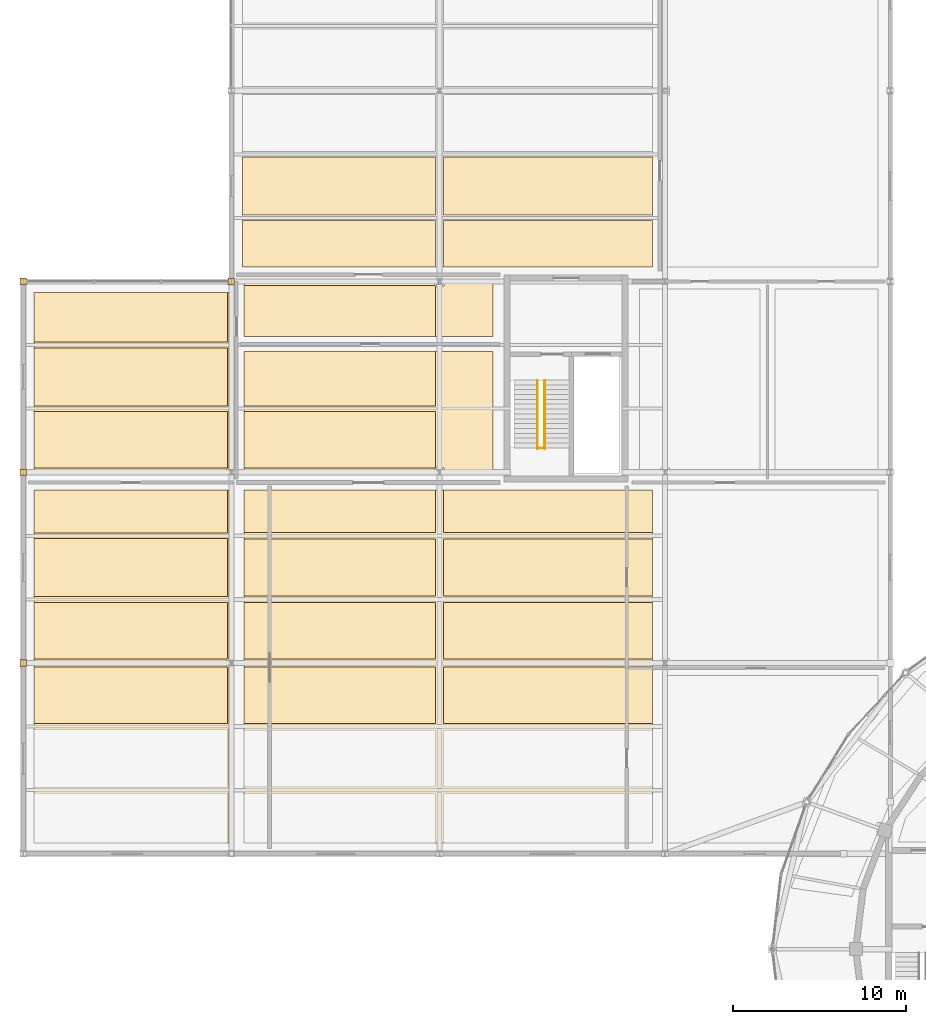
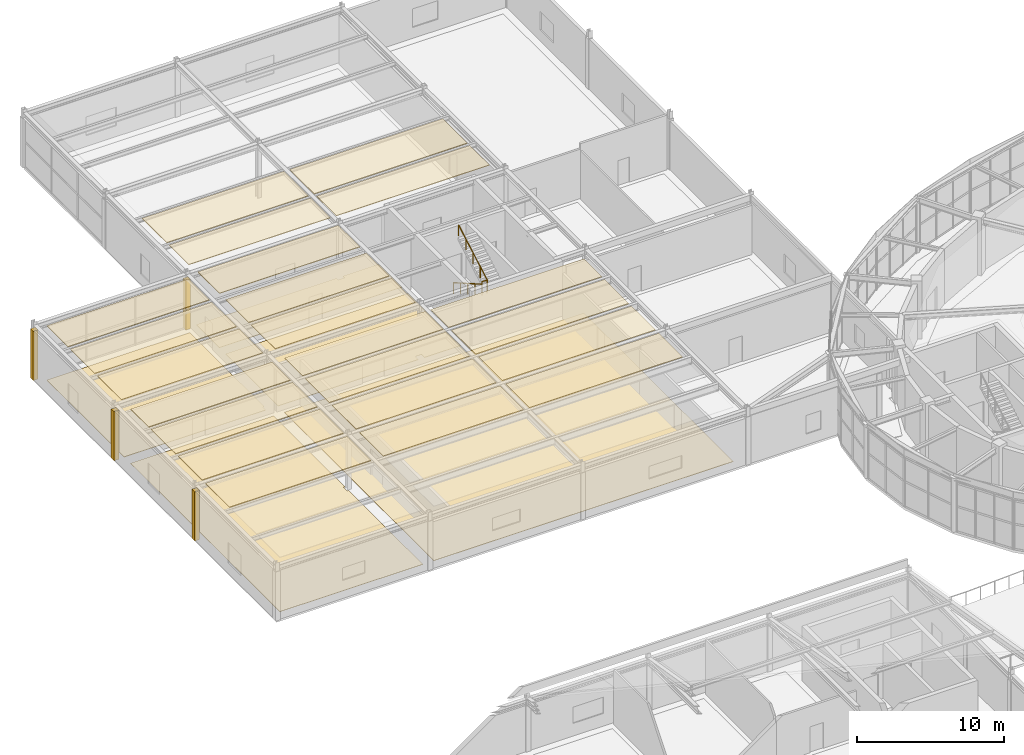
# One storey, part 104 of 108: 31 coverings, 3 railings.
"""IFC4 building model written with IfcOpenShell, lengths in metres."""

from ifc_helpers import new_model, si_unit, direction, frame, origin, origin_2d, place, context, subcontext, project, spatial, polyline, rectangle, circle, outline, extrude, material, layer, layer_set, type_object, element, save


model = new_model("IFC4")

# Units and contexts
model_context = context("Model", 3, precision=1e-05, world=origin(), true_north=direction((0.0, 1.0)))
body_context = subcontext(model_context, "Body", "Model", "MODEL_VIEW")
ifc_project = project(units=[si_unit("LENGTHUNIT", "METRE"), si_unit("AREAUNIT", "SQUARE_METRE"), si_unit("VOLUMEUNIT", "CUBIC_METRE"), si_unit("PLANEANGLEUNIT", "RADIAN"), si_unit("MASSUNIT", "GRAM", prefix="KILO")], contexts=[model_context])

# Site, building, storey
site_placement = place(None, origin())
site = spatial("IfcSite", under=ifc_project, at=site_placement, CompositionType="ELEMENT")
building_placement = place(site_placement, origin())
building = spatial("IfcBuilding", under=site, at=building_placement, Name="Tarnveldt Headland Concert Hall", CompositionType="ELEMENT")
storey_placement = place(building_placement, frame((0.0, 0.0, 9.60009765625)))
storey = spatial("IfcBuildingStorey", under=building, at=storey_placement, Name="L02", CompositionType="ELEMENT", Elevation=9.60009765625)

# Coverings
ifc_material_1 = material(Name="Micro-perforated mvule acoustic ceiling panel", Category="timber")
ifc_layer_1 = layer(ifc_material_1, 0.050048828125, Name="Micro-perforated mvule acoustic ceiling panel", Category="timber")
ifc_layer_set_1 = layer_set([ifc_layer_1], Name="Micro-perforated mvule acoustic ceiling panel")
covering_type_1 = type_object("IfcCoveringType", Name="CV-CEIL50", PredefinedType="CEILING", material=ifc_layer_set_1)
covering_1_placement = place(storey_placement, frame((0.0, 0.0, 4.5)))
element("IfcCovering", 1, at=covering_1_placement, inside=storey, type_object=covering_type_1, Name="Acoustic mvule ceiling L02-20-257", PredefinedType="CEILING", context=body_context, shape_type="SweptSolid", body=[
    extrude(outline(polyline([(31.27001953125, 67.52294921875), (20.22998046875, 67.52294921875), (20.22998046875, 70.77001953125), (31.27001953125, 70.77001953125), (31.27001953125, 67.52294921875)])), origin(), (0.0, 0.0, 1.0), 0.0498046875),
])
covering_2_placement = place(storey_placement, frame((0.0, 0.0, 4.5)))
element("IfcCovering", 2, at=covering_2_placement, inside=storey, type_object=covering_type_1, Name="Acoustic mvule ceiling L02-20-258", PredefinedType="CEILING", context=body_context, shape_type="SweptSolid", body=[
    extrude(outline(polyline([(43.77001953125, 67.52294921875), (31.72998046875, 67.52294921875), (31.72998046875, 70.77001953125), (43.77001953125, 70.77001953125), (43.77001953125, 67.52294921875)])), origin(), (0.0, 0.0, 1.0), 0.0498046875),
])
covering_3_placement = place(storey_placement, frame((0.0, 0.0, 4.5)))
element("IfcCovering", 3, at=covering_3_placement, inside=storey, type_object=covering_type_1, Name="Acoustic mvule ceiling L02-20-263", PredefinedType="CEILING", context=body_context, shape_type="SweptSolid", body=[
    extrude(outline(polyline([(31.27001953125, 71.22998046875), (20.22998046875, 71.22998046875), (20.22998046875, 74.47705078125), (31.27001953125, 74.47705078125), (31.27001953125, 71.22998046875)])), origin(), (0.0, 0.0, 1.0), 0.0498046875),
])
covering_4_placement = place(storey_placement, frame((0.0, 0.0, 4.5)))
element("IfcCovering", 4, at=covering_4_placement, inside=storey, type_object=covering_type_1, Name="Acoustic mvule ceiling L02-20-264", PredefinedType="CEILING", context=body_context, shape_type="SweptSolid", body=[
    extrude(outline(polyline([(43.77001953125, 71.22998046875), (31.72998046875, 71.22998046875), (31.72998046875, 74.47705078125), (43.77001953125, 74.47705078125), (43.77001953125, 71.22998046875)])), origin(), (0.0, 0.0, 1.0), 0.0498046875),
])
covering_5_placement = place(storey_placement, frame((0.0, 0.0, 4.5)))
element("IfcCovering", 5, at=covering_5_placement, inside=storey, type_object=covering_type_1, Name="Acoustic mvule ceiling L02-20-265", PredefinedType="CEILING", context=body_context, shape_type="SweptSolid", body=[
    extrude(outline(polyline([(31.72998046875, 78.52294921875), (31.72998046875, 80.969970703125), (43.77001953125, 80.969970703125), (43.77001953125, 78.52294921875), (31.72998046875, 78.52294921875)])), origin(), (0.0, 0.0, 1.0), 0.0498046875),
])
covering_6_placement = place(storey_placement, frame((0.0, 0.0, 4.5)))
element("IfcCovering", 6, at=covering_6_placement, inside=storey, type_object=covering_type_1, Name="Acoustic mvule ceiling L02-20-266", PredefinedType="CEILING", context=body_context, shape_type="SweptSolid", body=[
    extrude(outline(polyline([(20.22998046875, 80.969970703125), (31.27001953125, 80.969970703125), (31.27001953125, 78.52294921875), (20.22998046875, 78.52294921875), (20.22998046875, 80.969970703125)])), origin(), (0.0, 0.0, 1.0), 0.0498046875),
])
covering_7_placement = place(storey_placement, frame((0.0, 0.0, 4.5)))
element("IfcCovering", 7, at=covering_7_placement, inside=storey, type_object=covering_type_1, Name="Acoustic mvule ceiling L02-20-267", PredefinedType="CEILING", context=body_context, shape_type="SweptSolid", body=[
    extrude(outline(polyline([(31.72998046875, 78.14306640625), (43.77001953125, 78.14306640625), (43.77001953125, 74.85693359375), (31.72998046875, 74.85693359375), (31.72998046875, 78.14306640625)])), origin(), (0.0, 0.0, 1.0), 0.0498046875),
])
covering_8_placement = place(storey_placement, frame((0.0, 0.0, 4.5)))
element("IfcCovering", 8, at=covering_8_placement, inside=storey, type_object=covering_type_1, Name="Acoustic mvule ceiling L02-20-268", PredefinedType="CEILING", context=body_context, shape_type="SweptSolid", body=[
    extrude(outline(polyline([(20.22998046875, 78.14306640625), (31.27001953125, 78.14306640625), (31.27001953125, 74.85693359375), (20.22998046875, 74.85693359375), (20.22998046875, 78.14306640625)])), origin(), (0.0, 0.0, 1.0), 0.0498046875),
])
covering_9_placement = place(storey_placement, frame((0.0, 0.0, 4.5)))
element("IfcCovering", 9, at=covering_9_placement, inside=storey, type_object=covering_type_1, Name="Acoustic mvule ceiling L02-24-275", PredefinedType="CEILING", context=body_context, shape_type="SweptSolid", body=[
    extrude(outline(polyline([(8.1298828125, 82.22998046875), (8.1298828125, 85.501953125), (19.27001953125, 85.501953125), (19.27001953125, 82.25), (19.25, 82.25), (19.25, 82.22998046875), (8.1298828125, 82.22998046875)])), origin(), (0.0, 0.0, 1.0), 0.0498046875),
])
covering_10_placement = place(storey_placement, frame((0.0, 0.0, 4.5)))
element("IfcCovering", 10, at=covering_10_placement, inside=storey, type_object=covering_type_1, Name="Acoustic mvule ceiling L02-24-276", PredefinedType="CEILING", context=body_context, shape_type="SweptSolid", body=[
    extrude(outline(polyline([(8.1298828125, 89.16796875), (19.27001953125, 89.16796875), (19.27001953125, 85.83203125), (8.1298828125, 85.83203125), (8.1298828125, 89.16796875)])), origin(), (0.0, 0.0, 1.0), 0.0498046875),
])
covering_11_placement = place(storey_placement, frame((0.0, 0.0, 4.5)))
element("IfcCovering", 11, at=covering_11_placement, inside=storey, type_object=covering_type_1, Name="Acoustic mvule ceiling L02-24-277", PredefinedType="CEILING", context=body_context, shape_type="SweptSolid", body=[
    extrude(outline(polyline([(8.1298828125, 92.3701171875), (19.27001953125, 92.3701171875), (19.27001953125, 89.498046875), (8.1298828125, 89.498046875), (8.1298828125, 92.3701171875)])), origin(), (0.0, 0.0, 1.0), 0.0498046875),
])
covering_12_placement = place(storey_placement, frame((0.0, 0.0, 4.5)))
element("IfcCovering", 12, at=covering_12_placement, inside=storey, type_object=covering_type_1, Name="Acoustic mvule ceiling L02-25-278", PredefinedType="CEILING", context=body_context, shape_type="SweptSolid", body=[
    extrude(outline(polyline([(20.22998046875, 82.22998046875), (20.22998046875, 85.501953125), (31.27001953125, 85.501953125), (31.27001953125, 82.25), (31.25, 82.25), (31.25, 82.22998046875), (20.22998046875, 82.22998046875)])), origin(), (0.0, 0.0, 1.0), 0.0498046875),
])
covering_13_placement = place(storey_placement, frame((0.0, 0.0, 4.5)))
element("IfcCovering", 13, at=covering_13_placement, inside=storey, type_object=covering_type_1, Name="Acoustic mvule ceiling L02-25-279", PredefinedType="CEILING", context=body_context, shape_type="SweptSolid", body=[
    extrude(outline(polyline([(31.27001953125, 88.969970703125), (31.27001953125, 85.83203125), (20.22998046875, 85.83203125), (20.22998046875, 88.969970703125), (31.27001953125, 88.969970703125)])), origin(), (0.0, 0.0, 1.0), 0.0498046875),
])
covering_14_placement = place(storey_placement, frame((0.0, 0.0, 4.5)))
element("IfcCovering", 14, at=covering_14_placement, inside=storey, type_object=covering_type_1, Name="Acoustic mvule ceiling L02-26-280", PredefinedType="CEILING", context=body_context, shape_type="SweptSolid", body=[
    extrude(outline(polyline([(20.22998046875, 92.77001953125), (31.25, 92.77001953125), (31.25, 92.75), (31.27001953125, 92.75), (31.27001953125, 89.830078125), (20.22998046875, 89.830078125), (20.22998046875, 92.77001953125)])), origin(), (0.0, 0.0, 1.0), 0.0498046875),
])
covering_15_placement = place(storey_placement, frame((0.0, 0.0, 4.5)))
element("IfcCovering", 15, at=covering_15_placement, inside=storey, type_object=covering_type_1, Name="Acoustic mvule ceiling L02-29-287", PredefinedType="CEILING", context=body_context, shape_type="SweptSolid", body=[
    extrude(outline(polyline([(31.27001953125, 100.16796875), (31.27001953125, 96.83203125), (20.1298828125, 96.83203125), (20.1298828125, 100.16796875), (31.27001953125, 100.16796875)])), origin(), (0.0, 0.0, 1.0), 0.0498046875),
])
covering_16_placement = place(storey_placement, frame((0.0, 0.0, 4.5)))
element("IfcCovering", 16, at=covering_16_placement, inside=storey, type_object=covering_type_1, Name="Acoustic mvule ceiling L02-29-290", PredefinedType="CEILING", context=body_context, shape_type="SweptSolid", body=[
    extrude(outline(polyline([(43.77001953125, 96.83203125), (31.72998046875, 96.83203125), (31.72998046875, 100.16796875), (43.77001953125, 100.16796875), (43.77001953125, 96.83203125)])), origin(), (0.0, 0.0, 1.0), 0.0498046875),
])
covering_17_placement = place(storey_placement, frame((0.0, 0.0, 4.5)))
element("IfcCovering", 17, at=covering_17_placement, inside=storey, type_object=covering_type_1, Name="Acoustic mvule ceiling L02-29-291", PredefinedType="CEILING", context=body_context, shape_type="SweptSolid", body=[
    extrude(outline(polyline([(31.72998046875, 93.830078125), (31.72998046875, 96.501953125), (43.77001953125, 96.501953125), (43.77001953125, 93.830078125), (31.72998046875, 93.830078125)])), origin(), (0.0, 0.0, 1.0), 0.0498046875),
])
covering_18_placement = place(storey_placement, frame((0.0, 0.0, 4.5)))
element("IfcCovering", 18, at=covering_18_placement, inside=storey, type_object=covering_type_1, Name="Acoustic mvule ceiling L02-29-292", PredefinedType="CEILING", context=body_context, shape_type="SweptSolid", body=[
    extrude(outline(polyline([(31.27001953125, 96.501953125), (31.27001953125, 93.830078125), (20.1298828125, 93.830078125), (20.1298828125, 96.501953125), (31.27001953125, 96.501953125)])), origin(), (0.0, 0.0, 1.0), 0.0498046875),
])
ifc_layer_2 = layer(ifc_material_1, 0.06494140625, Name="Micro-perforated mvule acoustic ceiling panel", Category="timber")
ifc_layer_set_2 = layer_set([ifc_layer_2], Name="Micro-perforated mvule acoustic ceiling panel")
covering_type_2 = type_object("IfcCoveringType", Name="CV-CEIL65", PredefinedType="CEILING", material=ifc_layer_set_2)
covering_19_placement = place(storey_placement, frame((0.0, 0.0, 4.48486328125)))
element("IfcCovering", 19, at=covering_19_placement, inside=storey, type_object=covering_type_2, Name="Acoustic mvule ceiling L02-21-269", PredefinedType="CEILING", context=body_context, shape_type="SweptSolid", body=[
    extrude(outline(polyline([(19.27001953125, 71.25), (19.25, 71.25), (19.25, 71.22998046875), (8.1298828125, 71.22998046875), (8.1298828125, 74.501953125), (19.27001953125, 74.501953125), (19.27001953125, 71.25)])), origin(), (0.0, 0.0, 1.0), 0.06494140625),
])
covering_20_placement = place(storey_placement, frame((0.0, 0.0, 4.48486328125)))
element("IfcCovering", 20, at=covering_20_placement, inside=storey, type_object=covering_type_2, Name="Acoustic mvule ceiling L02-21-270", PredefinedType="CEILING", context=body_context, shape_type="SweptSolid", body=[
    extrude(outline(polyline([(8.1298828125, 78.16796875), (19.27001953125, 78.16796875), (19.27001953125, 74.83203125), (8.1298828125, 74.83203125), (8.1298828125, 78.16796875)])), origin(), (0.0, 0.0, 1.0), 0.06494140625),
])
covering_21_placement = place(storey_placement, frame((0.0, 0.0, 4.48486328125)))
element("IfcCovering", 21, at=covering_21_placement, inside=storey, type_object=covering_type_2, Name="Acoustic mvule ceiling L02-21-271", PredefinedType="CEILING", context=body_context, shape_type="SweptSolid", body=[
    extrude(outline(polyline([(8.1298828125, 80.969970703125), (19.27001953125, 80.969970703125), (19.27001953125, 78.498046875), (8.1298828125, 78.498046875), (8.1298828125, 80.969970703125)])), origin(), (0.0, 0.0, 1.0), 0.06494140625),
])
covering_22_placement = place(storey_placement, frame((0.0, 0.0, 4.48486328125)))
element("IfcCovering", 22, at=covering_22_placement, inside=storey, type_object=covering_type_2, Name="Acoustic mvule ceiling L02-21-274", PredefinedType="CEILING", context=body_context, shape_type="SweptSolid", body=[
    extrude(outline(polyline([(19.25, 70.77001953125), (19.25, 70.75), (19.27001953125, 70.75), (19.27001953125, 67.498046875), (8.1298828125, 67.498046875), (8.1298828125, 70.77001953125), (19.25, 70.77001953125)])), origin(), (0.0, 0.0, 1.0), 0.06494140625),
])
ifc_material_2 = material(Name="Treated East African mvule hardwood", Category="wood")
ifc_layer_3 = layer(ifc_material_2, 0.028076171875, Name="Treated East African mvule hardwood", Category="wood")
ifc_layer_set_3 = layer_set([ifc_layer_3], Name="Treated East African mvule hardwood")
covering_type_3 = type_object("IfcCoveringType", Name="CV-FLOR28", PredefinedType="FLOORING", material=ifc_layer_set_3)
covering_23_placement = place(storey_placement, origin())
element("IfcCovering", 23, at=covering_23_placement, inside=storey, type_object=covering_type_3, Name="Architectural flooring L02-21-79", PredefinedType="FLOORING", context=body_context, shape_type="SweptSolid", body=[
    extrude(outline(polyline([(19.3701171875, 80.969970703125), (19.3701171875, 71.25), (19.25, 71.25), (19.25, 70.75), (19.3701171875, 70.75), (19.3701171875, 60.6298828125), (8.1298828125, 60.6298828125), (8.1298828125, 80.969970703125), (19.3701171875, 80.969970703125)])), origin(), (0.0, 0.0, 1.0), 0.02783203125),
])
ifc_material_3 = material(Name="Polished coral-aggregate cementitious terrazzo flooring", Category="concrete")
ifc_layer_4 = layer(ifc_material_3, 0.034912109375, Name="Polished coral-aggregate cementitious terrazzo flooring", Category="concrete")
ifc_layer_set_4 = layer_set([ifc_layer_4], Name="Polished coral-aggregate cementitious terrazzo flooring")
covering_type_4 = type_object("IfcCoveringType", Name="CV-FLOR35", PredefinedType="FLOORING", material=ifc_layer_set_4)
covering_24_placement = place(storey_placement, origin())
element("IfcCovering", 24, at=covering_24_placement, inside=storey, type_object=covering_type_4, Name="Architectural flooring L02-20-78", PredefinedType="FLOORING", context=body_context, shape_type="SweptSolid", body=[
    extrude(outline(polyline([(20.22998046875, 80.969970703125), (43.77001953125, 80.969970703125), (43.77001953125, 60.6298828125), (20.22998046875, 60.6298828125), (20.22998046875, 80.969970703125)])), origin(), (0.0, 0.0, 1.0), 0.034912109375),
])
covering_25_placement = place(storey_placement, origin())
element("IfcCovering", 25, at=covering_25_placement, inside=storey, type_object=covering_type_4, Name="Architectural flooring L02-24-82", PredefinedType="FLOORING", context=body_context, shape_type="SweptSolid", body=[
    extrude(outline(polyline([(19.3701171875, 92.3701171875), (19.3701171875, 82.25), (19.25, 82.25), (19.25, 81.830078125), (8.1298828125, 81.830078125), (8.1298828125, 92.3701171875), (19.3701171875, 92.3701171875)])), origin(), (0.0, 0.0, 1.0), 0.034912109375),
])
covering_26_placement = place(storey_placement, origin())
element("IfcCovering", 26, at=covering_26_placement, inside=storey, type_object=covering_type_4, Name="Architectural flooring L02-25-83", PredefinedType="FLOORING", context=body_context, shape_type="SweptSolid", body=[
    extrude(outline(polyline([(34.570068359375, 88.969970703125), (34.570068359375, 81.830078125), (31.75, 81.830078125), (31.75, 82.25), (31.25, 82.25), (31.25, 81.830078125), (20.22998046875, 81.830078125), (20.22998046875, 88.969970703125), (34.570068359375, 88.969970703125)])), origin(), (0.0, 0.0, 1.0), 0.034912109375),
])
covering_27_placement = place(storey_placement, origin())
element("IfcCovering", 27, at=covering_27_placement, inside=storey, type_object=covering_type_4, Name="Architectural flooring L02-26-84", PredefinedType="FLOORING", context=body_context, shape_type="SweptSolid", body=[
    extrude(outline(polyline([(31.25, 92.969970703125), (31.25, 92.75), (31.75, 92.75), (31.75, 92.969970703125), (34.570068359375, 92.969970703125), (34.570068359375, 89.830078125), (20.22998046875, 89.830078125), (20.22998046875, 92.969970703125), (31.25, 92.969970703125)])), origin(), (0.0, 0.0, 1.0), 0.034912109375),
])
ifc_material_4 = material(Name="Coral-toned precast concrete C40/50", Category="concrete")
ifc_layer_5 = layer(ifc_material_4, 0.360107421875, Name="Coral-toned precast concrete C40/50", Category="concrete")
ifc_layer_set_5 = layer_set([ifc_layer_5], Name="Coral-toned precast concrete C40/50")
covering_type_5 = type_object("IfcCoveringType", Name="CV-JNT360", PredefinedType="CLADDING", material=ifc_layer_set_5)
for number, where, z_axis, x_axis, name in (
    (28, (7.5, 71.0, 0.0), (0.0, 0.0, 1.0), (0.0, 1.0, 0.0), "Precast facade joint closure pilaster L02-252"),
    (29, (7.5, 82.0, 0.0), (0.0, 0.0, 1.0), (0.0, 1.0, 0.0), "Precast facade joint closure pilaster L02-253"),
    (30, (7.5, 93.0, 0.0), (0.0, 0.0, 1.0), (0.0, 1.0, 0.0), "Precast facade joint closure pilaster L02-254"),
    (31, (19.5, 93.0, 0.0), (0.0, 0.0, 1.0), (0.0, 1.0, 0.0), "Precast facade joint closure pilaster L02-258"),
):
    element("IfcCovering", number, at=place(storey_placement, frame(where, z_axis=z_axis, x_axis=x_axis)), inside=storey, type_object=covering_type_5, Name=name, PredefinedType="CLADDING", context=body_context, shape_type="SweptSolid", body=[
        extrude(rectangle(XDim=0.3798828125, YDim=0.3798828125, at=origin_2d()), origin(), (0.0, 0.0, 1.0), 4.087890625),
    ])

# Railings
ifc_material_5 = material(Name="Marine stainless steel", Category="steel")
ifc_layer_6 = layer(ifc_material_5, 0.06005859375, Name="Marine stainless steel", Category="steel")
ifc_layer_set_6 = layer_set([ifc_layer_6], Name="Marine stainless steel")
railing_type_1 = type_object("IfcRailingType", Name="RL-GRD110", PredefinedType="GUARDRAIL", material=ifc_layer_set_6)
railing_1_placement = place(storey_placement, frame((37.14990234375, 83.39990234375, 2.39990234375)))
element("IfcRailing", 32, at=railing_1_placement, inside=storey, type_object=railing_type_1, Name="GUARD STR-C6-L02 half-landing well", PredefinedType="GUARDRAIL", context=body_context, shape_type="SweptSolid", body=[
    extrude(circle(Radius=0.02392578125, at=origin_2d()), frame((0.0, 0.0, 1.076171875), z_axis=(1.0, 0.0, 0.0), x_axis=(0.0, 1.0, 0.0)), (0.0, 0.0, 1.0), 0.420166015625),
    extrude(circle(Radius=0.02099609375, at=origin_2d()), origin(), (0.0, 0.0, 1.0), 1.052001953125),
    extrude(circle(Radius=0.02099609375, at=origin_2d()), frame((0.420166015625, 0.0, 0.0)), (0.0, 0.0, 1.0), 1.052001953125),
])
ifc_layer_7 = layer(ifc_material_5, 0.048095703125, Name="Marine stainless steel", Category="steel")
ifc_layer_set_7 = layer_set([ifc_layer_7], Name="Marine stainless steel")
railing_type_2 = type_object("IfcRailingType", Name="RL-HND092", PredefinedType="HANDRAIL", material=ifc_layer_set_7)
railing_2_placement = place(storey_placement, frame((37.14990234375, 87.280029296875, 0.159912109375)))
element("IfcRailing", 33, at=railing_2_placement, inside=storey, type_object=railing_type_2, Name="HANDRAIL STR-C6-L02 flight 1", PredefinedType="HANDRAIL", context=body_context, shape_type="SweptSolid", body=[
    extrude(circle(Radius=0.02392578125, at=origin_2d()), frame((0.0, 0.0, 0.89599609375), z_axis=(0.0, -0.868239814368, 0.496144761885), x_axis=(1.0, 0.0, 0.0)), (0.0, 0.0, 1.0), 4.514892578125),
    extrude(circle(Radius=0.02099609375, at=origin_2d()), origin(), (0.0, 0.0, 1.0), 0.871826171875),
    extrude(circle(Radius=0.02099609375, at=origin_2d()), frame((0.0, -0.97998046875, 0.56005859375)), (0.0, 0.0, 1.0), 0.871826171875),
    extrude(circle(Radius=0.02099609375, at=origin_2d()), frame((0.0, -1.9599609375, 1.1201171875)), (0.0, 0.0, 1.0), 0.871826171875),
    extrude(circle(Radius=0.02099609375, at=origin_2d()), frame((0.0, -2.93994140625, 1.679931640625)), (0.0, 0.0, 1.0), 0.871826171875),
    extrude(circle(Radius=0.02099609375, at=origin_2d()), frame((0.0, -3.919921875, 2.239990234375)), (0.0, 0.0, 1.0), 0.871826171875),
])
railing_3_placement = place(storey_placement, frame((37.570068359375, 83.360107421875, 2.559814453125)))
element("IfcRailing", 34, at=railing_3_placement, inside=storey, type_object=railing_type_2, Name="HANDRAIL STR-C6-L02 flight 2", PredefinedType="HANDRAIL", context=body_context, shape_type="SweptSolid", body=[
    extrude(circle(Radius=0.02392578125, at=origin_2d()), frame((0.0, 0.0, 0.89599609375), z_axis=(0.0, 0.868239814368, 0.496144761885), x_axis=(-1.0, 0.0, 0.0)), (0.0, 0.0, 1.0), 4.514892578125),
    extrude(circle(Radius=0.02099609375, at=origin_2d()), origin(), (0.0, 0.0, 1.0), 0.871826171875),
    extrude(circle(Radius=0.02099609375, at=origin_2d()), frame((0.0, 0.97998046875, 0.56005859375)), (0.0, 0.0, 1.0), 0.871826171875),
    extrude(circle(Radius=0.02099609375, at=origin_2d()), frame((0.0, 1.9599609375, 1.1201171875)), (0.0, 0.0, 1.0), 0.871826171875),
    extrude(circle(Radius=0.02099609375, at=origin_2d()), frame((0.0, 2.93994140625, 1.679931640625)), (0.0, 0.0, 1.0), 0.871826171875),
    extrude(circle(Radius=0.02099609375, at=origin_2d()), frame((0.0, 3.919921875, 2.239990234375)), (0.0, 0.0, 1.0), 0.871826171875),
])

save(model, "model.ifc")
